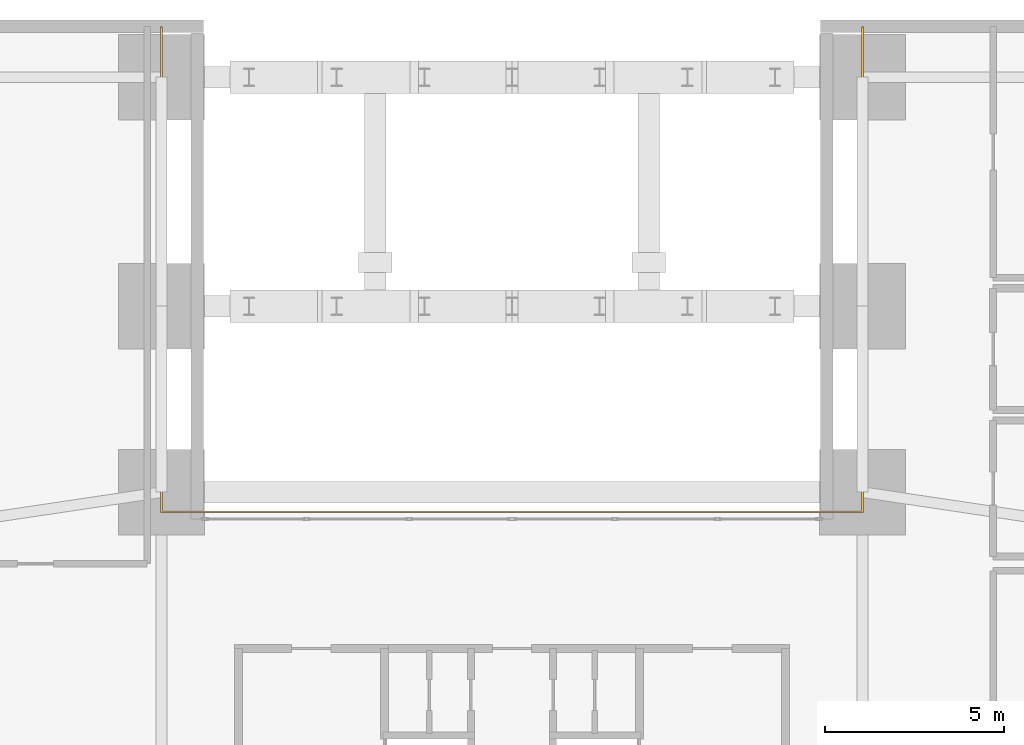
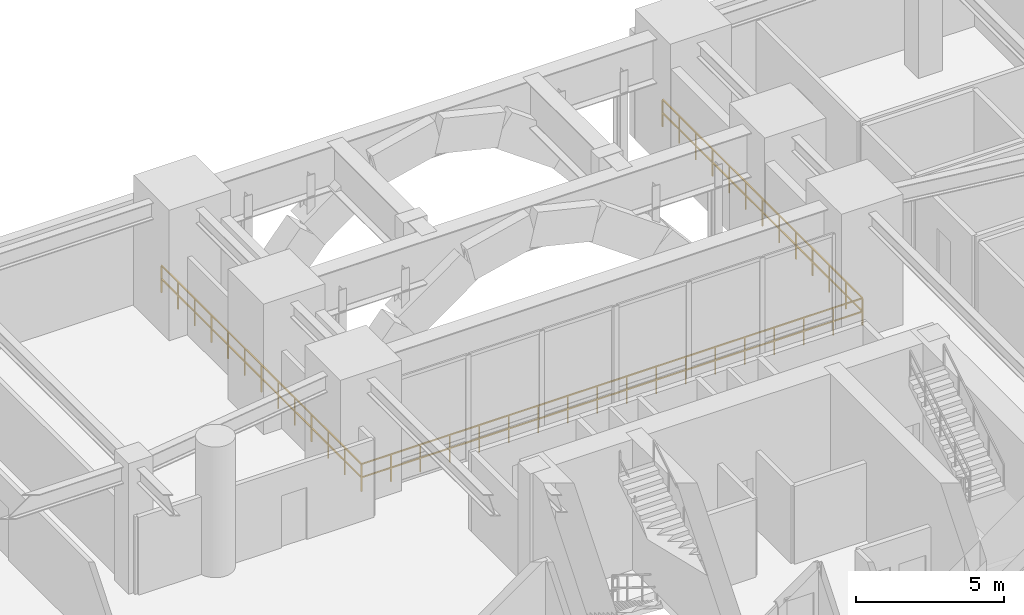
# One storey, part 18 of 18: 1 railing.
"""IFC4 building model written with IfcOpenShell, lengths in metres."""

from ifc_helpers import new_model, si_unit, direction, frame, origin, origin_2d, place, context, subcontext, project, spatial, rectangle, extrude, material, type_object, element, save


model = new_model("IFC4")

# Units and contexts
model_context = context("Model", 3, precision=1e-05, world=origin(), true_north=direction((0.0, 1.0)))
body_context = subcontext(model_context, "Body", "Model", "MODEL_VIEW")
ifc_project = project(units=[si_unit("LENGTHUNIT", "METRE"), si_unit("AREAUNIT", "SQUARE_METRE"), si_unit("VOLUMEUNIT", "CUBIC_METRE"), si_unit("PLANEANGLEUNIT", "RADIAN"), si_unit("MASSUNIT", "GRAM", prefix="KILO"), si_unit("THERMODYNAMICTEMPERATUREUNIT", "KELVIN"), si_unit("POWERUNIT", "WATT")], contexts=[model_context])

# Site, building, storey
site_placement = place(None, origin())
site = spatial("IfcSite", under=ifc_project, at=site_placement, CompositionType="ELEMENT")
building_placement = place(site_placement, origin())
building = spatial("IfcBuilding", under=site, at=building_placement, Name="Ocrelia Relay Tower", CompositionType="ELEMENT")
storey_placement = place(building_placement, frame((0.0, 0.0, 10.199951171875)))
storey = spatial("IfcBuildingStorey", under=building, at=storey_placement, Name="L02", CompositionType="ELEMENT", Elevation=10.199951171875)

# Railing
ifc_material = material(Name="Steel S355 atrium balustrade", Category="steel")
railing_type = type_object("IfcRailingType", Name="RL-INT-GUARD-115", PredefinedType="GUARDRAIL", material=ifc_material)
railing_placement = place(storey_placement, frame((24.199951171875, 51.800048828125, 0.0)))
element("IfcRailing", 1, at=railing_placement, inside=storey, type_object=railing_type, Name="L02 Portal Arch Gallery Guard N", PredefinedType="GUARDRAIL", context=body_context, shape_type="SweptSolid", body=[
    extrude(rectangle(XDim=0.048095703125, YDim=0.048095703125, at=origin_2d()), frame((0.0, 0.0, 1.1259765625), z_axis=(0.0, -1.0, 0.0), x_axis=(1.0, 0.0, 0.0)), (0.0, 0.0, 1.0), 13.550048828125),
    extrude(rectangle(XDim=0.048095703125, YDim=0.048095703125, at=origin_2d()), frame((0.0, 0.0, 0.574951171875), z_axis=(0.0, -1.0, 0.0), x_axis=(1.0, 0.0, 0.0)), (0.0, 0.0, 1.0), 13.550048828125),
    extrude(rectangle(XDim=0.048095703125, YDim=0.048095703125, at=origin_2d()), frame((0.0, -13.550048828125, 1.1259765625), z_axis=(1.0, 0.0, 0.0), x_axis=(0.0, 1.0, 0.0)), (0.0, 0.0, 1.0), 19.60009765625),
    extrude(rectangle(XDim=0.048095703125, YDim=0.048095703125, at=origin_2d()), frame((0.0, -13.550048828125, 0.574951171875), z_axis=(1.0, 0.0, 0.0), x_axis=(0.0, 1.0, 0.0)), (0.0, 0.0, 1.0), 19.60009765625),
    extrude(rectangle(XDim=0.048095703125, YDim=0.048095703125, at=origin_2d()), frame((19.60009765625, -13.550048828125, 1.1259765625), z_axis=(0.0, 1.0, 0.0), x_axis=(-1.0, 0.0, 0.0)), (0.0, 0.0, 1.0), 13.550048828125),
    extrude(rectangle(XDim=0.048095703125, YDim=0.048095703125, at=origin_2d()), frame((19.60009765625, -13.550048828125, 0.574951171875), z_axis=(0.0, 1.0, 0.0), x_axis=(-1.0, 0.0, 0.0)), (0.0, 0.0, 1.0), 13.550048828125),
    extrude(rectangle(XDim=0.0419921875, YDim=0.0419921875, at=origin_2d()), origin(), (0.0, 0.0, 1.0), 1.101806640625),
    extrude(rectangle(XDim=0.0419921875, YDim=0.0419921875, at=origin_2d()), frame((0.0, -1.129150390625, 0.0)), (0.0, 0.0, 1.0), 1.101806640625),
    extrude(rectangle(XDim=0.0419921875, YDim=0.0419921875, at=origin_2d()), frame((0.0, -2.25830078125, 0.0)), (0.0, 0.0, 1.0), 1.101806640625),
    extrude(rectangle(XDim=0.0419921875, YDim=0.0419921875, at=origin_2d()), frame((0.0, -3.387451171875, 0.0)), (0.0, 0.0, 1.0), 1.101806640625),
    extrude(rectangle(XDim=0.0419921875, YDim=0.0419921875, at=origin_2d()), frame((0.0, -4.5166015625, 0.0)), (0.0, 0.0, 1.0), 1.101806640625),
    extrude(rectangle(XDim=0.0419921875, YDim=0.0419921875, at=origin_2d()), frame((0.0, -5.645751953125, 0.0)), (0.0, 0.0, 1.0), 1.101806640625),
    extrude(rectangle(XDim=0.0419921875, YDim=0.0419921875, at=origin_2d()), frame((0.0, -6.77490234375, 0.0)), (0.0, 0.0, 1.0), 1.101806640625),
    extrude(rectangle(XDim=0.0419921875, YDim=0.0419921875, at=origin_2d()), frame((0.0, -7.904296875, 0.0)), (0.0, 0.0, 1.0), 1.101806640625),
    extrude(rectangle(XDim=0.0419921875, YDim=0.0419921875, at=origin_2d()), frame((0.0, -9.033447265625, 0.0)), (0.0, 0.0, 1.0), 1.101806640625),
    extrude(rectangle(XDim=0.0419921875, YDim=0.0419921875, at=origin_2d()), frame((0.0, -10.16259765625, 0.0)), (0.0, 0.0, 1.0), 1.101806640625),
    extrude(rectangle(XDim=0.0419921875, YDim=0.0419921875, at=origin_2d()), frame((0.0, -11.291748046875, 0.0)), (0.0, 0.0, 1.0), 1.101806640625),
    extrude(rectangle(XDim=0.0419921875, YDim=0.0419921875, at=origin_2d()), frame((0.0, -12.4208984375, 0.0)), (0.0, 0.0, 1.0), 1.101806640625),
    extrude(rectangle(XDim=0.0419921875, YDim=0.0419921875, at=origin_2d()), frame((0.0, -13.550048828125, 0.0)), (0.0, 0.0, 1.0), 1.101806640625),
    extrude(rectangle(XDim=0.0419921875, YDim=0.0419921875, at=origin_2d()), frame((1.15283203125, -13.550048828125, 0.0)), (0.0, 0.0, 1.0), 1.101806640625),
    extrude(rectangle(XDim=0.0419921875, YDim=0.0419921875, at=origin_2d()), frame((2.305908203125, -13.550048828125, 0.0)), (0.0, 0.0, 1.0), 1.101806640625),
    extrude(rectangle(XDim=0.0419921875, YDim=0.0419921875, at=origin_2d()), frame((3.458740234375, -13.550048828125, 0.0)), (0.0, 0.0, 1.0), 1.101806640625),
    extrude(rectangle(XDim=0.0419921875, YDim=0.0419921875, at=origin_2d()), frame((4.61181640625, -13.550048828125, 0.0)), (0.0, 0.0, 1.0), 1.101806640625),
    extrude(rectangle(XDim=0.0419921875, YDim=0.0419921875, at=origin_2d()), frame((5.7646484375, -13.550048828125, 0.0)), (0.0, 0.0, 1.0), 1.101806640625),
    extrude(rectangle(XDim=0.0419921875, YDim=0.0419921875, at=origin_2d()), frame((6.917724609375, -13.550048828125, 0.0)), (0.0, 0.0, 1.0), 1.101806640625),
    extrude(rectangle(XDim=0.0419921875, YDim=0.0419921875, at=origin_2d()), frame((8.070556640625, -13.550048828125, 0.0)), (0.0, 0.0, 1.0), 1.101806640625),
    extrude(rectangle(XDim=0.0419921875, YDim=0.0419921875, at=origin_2d()), frame((9.2236328125, -13.550048828125, 0.0)), (0.0, 0.0, 1.0), 1.101806640625),
    extrude(rectangle(XDim=0.0419921875, YDim=0.0419921875, at=origin_2d()), frame((10.37646484375, -13.550048828125, 0.0)), (0.0, 0.0, 1.0), 1.101806640625),
    extrude(rectangle(XDim=0.0419921875, YDim=0.0419921875, at=origin_2d()), frame((11.529541015625, -13.550048828125, 0.0)), (0.0, 0.0, 1.0), 1.101806640625),
    extrude(rectangle(XDim=0.0419921875, YDim=0.0419921875, at=origin_2d()), frame((12.682373046875, -13.550048828125, 0.0)), (0.0, 0.0, 1.0), 1.101806640625),
    extrude(rectangle(XDim=0.0419921875, YDim=0.0419921875, at=origin_2d()), frame((13.83544921875, -13.550048828125, 0.0)), (0.0, 0.0, 1.0), 1.101806640625),
    extrude(rectangle(XDim=0.0419921875, YDim=0.0419921875, at=origin_2d()), frame((14.98828125, -13.550048828125, 0.0)), (0.0, 0.0, 1.0), 1.101806640625),
    extrude(rectangle(XDim=0.0419921875, YDim=0.0419921875, at=origin_2d()), frame((16.141357421875, -13.550048828125, 0.0)), (0.0, 0.0, 1.0), 1.101806640625),
    extrude(rectangle(XDim=0.0419921875, YDim=0.0419921875, at=origin_2d()), frame((17.294189453125, -13.550048828125, 0.0)), (0.0, 0.0, 1.0), 1.101806640625),
    extrude(rectangle(XDim=0.0419921875, YDim=0.0419921875, at=origin_2d()), frame((18.447265625, -13.550048828125, 0.0)), (0.0, 0.0, 1.0), 1.101806640625),
    extrude(rectangle(XDim=0.0419921875, YDim=0.0419921875, at=origin_2d()), frame((19.60009765625, -13.550048828125, 0.0)), (0.0, 0.0, 1.0), 1.101806640625),
    extrude(rectangle(XDim=0.0419921875, YDim=0.0419921875, at=origin_2d()), frame((19.60009765625, -12.4208984375, 0.0)), (0.0, 0.0, 1.0), 1.101806640625),
    extrude(rectangle(XDim=0.0419921875, YDim=0.0419921875, at=origin_2d()), frame((19.60009765625, -11.291748046875, 0.0)), (0.0, 0.0, 1.0), 1.101806640625),
    extrude(rectangle(XDim=0.0419921875, YDim=0.0419921875, at=origin_2d()), frame((19.60009765625, -10.16259765625, 0.0)), (0.0, 0.0, 1.0), 1.101806640625),
    extrude(rectangle(XDim=0.0419921875, YDim=0.0419921875, at=origin_2d()), frame((19.60009765625, -9.033447265625, 0.0)), (0.0, 0.0, 1.0), 1.101806640625),
    extrude(rectangle(XDim=0.0419921875, YDim=0.0419921875, at=origin_2d()), frame((19.60009765625, -7.904296875, 0.0)), (0.0, 0.0, 1.0), 1.101806640625),
    extrude(rectangle(XDim=0.0419921875, YDim=0.0419921875, at=origin_2d()), frame((19.60009765625, -6.77490234375, 0.0)), (0.0, 0.0, 1.0), 1.101806640625),
    extrude(rectangle(XDim=0.0419921875, YDim=0.0419921875, at=origin_2d()), frame((19.60009765625, -5.645751953125, 0.0)), (0.0, 0.0, 1.0), 1.101806640625),
    extrude(rectangle(XDim=0.0419921875, YDim=0.0419921875, at=origin_2d()), frame((19.60009765625, -4.5166015625, 0.0)), (0.0, 0.0, 1.0), 1.101806640625),
    extrude(rectangle(XDim=0.0419921875, YDim=0.0419921875, at=origin_2d()), frame((19.60009765625, -3.387451171875, 0.0)), (0.0, 0.0, 1.0), 1.101806640625),
    extrude(rectangle(XDim=0.0419921875, YDim=0.0419921875, at=origin_2d()), frame((19.60009765625, -2.25830078125, 0.0)), (0.0, 0.0, 1.0), 1.101806640625),
    extrude(rectangle(XDim=0.0419921875, YDim=0.0419921875, at=origin_2d()), frame((19.60009765625, -1.129150390625, 0.0)), (0.0, 0.0, 1.0), 1.101806640625),
    extrude(rectangle(XDim=0.0419921875, YDim=0.0419921875, at=origin_2d()), frame((19.60009765625, 0.0, 0.0)), (0.0, 0.0, 1.0), 1.101806640625),
])

save(model, "model.ifc")
